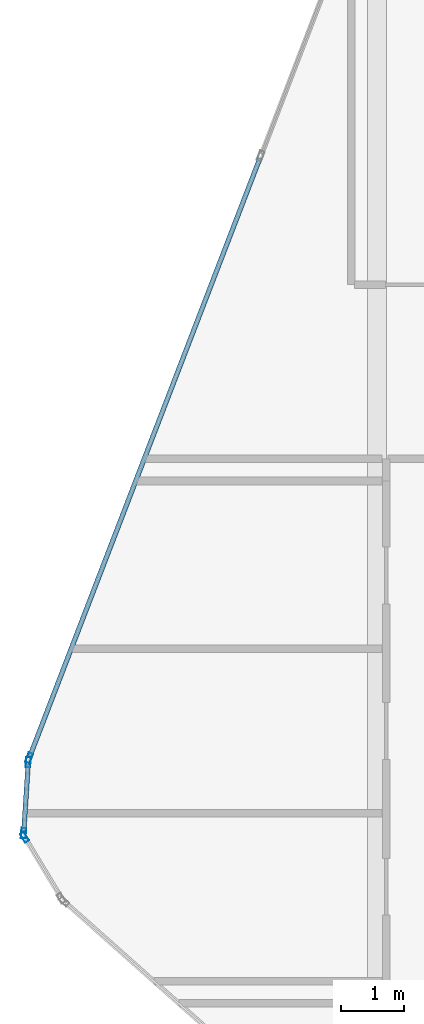
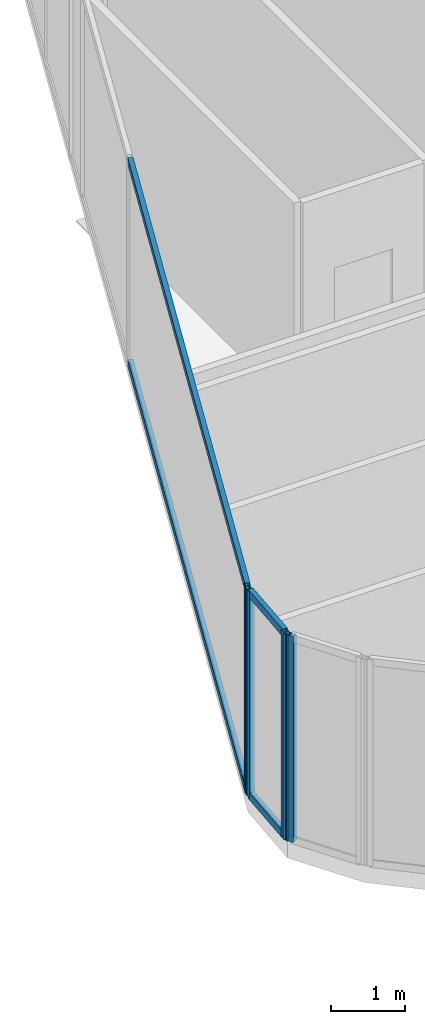
# One storey, part 8 of 27: 8 members, 3 elements without a shape of their own.
"""IFC4 building model written with IfcOpenShell, lengths in metres."""

from ifc_helpers import new_model, si_unit, direction, frame, origin, origin_2d, place, context, subcontext, project, spatial, hollow_rectangle, extrude, material, layer, layer_set, material_profile, profile_set, type_object, element, aggregate, save


model = new_model("IFC4")

# Units and contexts
model_context = context("Model", 3, precision=1e-05, world=origin(), true_north=direction((0.0, 1.0)))
body_context = subcontext(model_context, "Body", "Model", "MODEL_VIEW")
ifc_project = project(units=[si_unit("LENGTHUNIT", "METRE"), si_unit("AREAUNIT", "SQUARE_METRE"), si_unit("VOLUMEUNIT", "CUBIC_METRE"), si_unit("PLANEANGLEUNIT", "RADIAN"), si_unit("MASSUNIT", "GRAM", prefix="KILO")], contexts=[model_context])

# Site, building, storey
site_placement = place(None, origin())
site = spatial("IfcSite", under=ifc_project, at=site_placement, CompositionType="ELEMENT")
building_placement = place(site_placement, origin())
building = spatial("IfcBuilding", under=site, at=building_placement, Name="Keshet Zoharim Tower", CompositionType="ELEMENT")
storey_placement = place(building_placement, frame((0.0, 0.0, 254.699951171875)))
storey = spatial("IfcBuildingStorey", under=building, at=storey_placement, Name="L63", CompositionType="ELEMENT", Elevation=254.699951171875)

# Curtain wall, member
ifc_material = material(Name="Aluminium 6063-T6", Category="aluminium")
ifc_layer = layer(ifc_material, 0.260009765625)
ifc_layer_set = layer_set([ifc_layer], Name="Aluminium 6063-T6")
curtain_wall_type = type_object("IfcCurtainWallType", Name="CW-SYS-06", PredefinedType="NOTDEFINED", material=ifc_layer_set)
curtain_wall_1_placement = place(storey_placement, origin())
curtain_wall_1 = element("IfcCurtainWall", 1, at=curtain_wall_1_placement, inside=storey, type_object=curtain_wall_type, Name="L63 Unitised Curtain Wall 01", PredefinedType="NOTDEFINED")
ifc_material_profile_1 = material_profile(ifc_material, hollow_rectangle(XDim=0.074951171875, YDim=0.159912109375, WallThickness=0.00390625, at=origin_2d()), Name="MUL-75x160")
ifc_profile_set_1 = profile_set([ifc_material_profile_1], Name="Aluminium 6063-T6")
member_type_1 = type_object("IfcMemberType", Name="CWM-M15", PredefinedType="MULLION", material=ifc_profile_set_1)
member_1_placement = place(storey_placement, frame((3.43798828125, 22.77197265625, 0.0), z_axis=(0.0, 0.0, 1.0), x_axis=(-0.856826433805, -0.515604947933, 0.0)))
member_1 = element("IfcMember", 2, at=member_1_placement, type_object=member_type_1, Name="CW-06 mullion 2", PredefinedType="MULLION", context=body_context, shape_type="SweptSolid", body=[
    extrude(hollow_rectangle(XDim=0.074951171875, YDim=0.159912109375, WallThickness=0.00390625, at=origin_2d()), origin(), (0.0, 0.0, 1.0), 3.39013671875),
])
aggregate(curtain_wall_1, [member_1])

# Curtain wall, members
curtain_wall_2_placement = place(storey_placement, origin())
curtain_wall_2 = element("IfcCurtainWall", 3, at=curtain_wall_2_placement, inside=storey, type_object=curtain_wall_type, Name="L63 Unitised Curtain Wall 02", PredefinedType="NOTDEFINED")
member_2_placement = place(storey_placement, frame((3.42236328125, 22.8369140625, 0.0), z_axis=(0.0, 0.0, 1.0), x_axis=(-0.997916617186, 0.064516859374, 0.0)))
member_2 = element("IfcMember", 4, at=member_2_placement, type_object=member_type_1, Name="CW-06 mullion 1", PredefinedType="MULLION", context=body_context, shape_type="SweptSolid", body=[
    extrude(hollow_rectangle(XDim=0.074951171875, YDim=0.159912109375, WallThickness=0.00390625, at=origin_2d()), origin(), (0.0, 0.0, 1.0), 3.39013671875),
])
member_3_placement = place(storey_placement, frame((3.49462890625, 23.9580078125, 0.0), z_axis=(0.0, 0.0, 1.0), x_axis=(-0.997916617186, 0.064516859374, 0.0)))
member_3 = element("IfcMember", 5, at=member_3_placement, type_object=member_type_1, Name="CW-06 mullion 2", PredefinedType="MULLION", context=body_context, shape_type="SweptSolid", body=[
    extrude(hollow_rectangle(XDim=0.074951171875, YDim=0.159912109375, WallThickness=0.00390625, at=origin_2d()), origin(), (0.0, 0.0, 1.0), 3.39013671875),
])

# Curtain wall, member
curtain_wall_3_placement = place(storey_placement, origin())
curtain_wall_3 = element("IfcCurtainWall", 6, at=curtain_wall_3_placement, inside=storey, type_object=curtain_wall_type, Name="L63 Unitised Curtain Wall 03", PredefinedType="NOTDEFINED")
member_4_placement = place(storey_placement, frame((3.509521484375, 24.025634765625, 0.0), z_axis=(0.0, 0.0, 1.0), x_axis=(-0.933341404361, 0.358990003907, 0.0)))
member_4 = element("IfcMember", 7, at=member_4_placement, type_object=member_type_1, Name="CW-06 mullion 1", PredefinedType="MULLION", context=body_context, shape_type="SweptSolid", body=[
    extrude(hollow_rectangle(XDim=0.074951171875, YDim=0.159912109375, WallThickness=0.00390625, at=origin_2d()), origin(), (0.0, 0.0, 1.0), 3.39013671875),
])

# Member
ifc_material_profile_2 = material_profile(ifc_material, hollow_rectangle(XDim=0.074951171875, YDim=0.1201171875, WallThickness=0.00390625, at=origin_2d()), Name="TRN-75x120")
ifc_profile_set_2 = profile_set([ifc_material_profile_2], Name="Aluminium 6063-T6")
member_type_2 = type_object("IfcMemberType", Name="CWT-T12", PredefinedType="USERDEFINED", material=ifc_profile_set_2)
member_5_placement = place(storey_placement, frame((3.424560546875, 22.871826171875, 0.03515625), z_axis=(0.064426947155, 0.997922426083, 0.0), x_axis=(-0.997922426083, 0.064426947155, 0.0)))
member_5 = element("IfcMember", 8, at=member_5_placement, type_object=member_type_2, Name="CW-06 transom 1.1", ObjectType="TRANSOM", PredefinedType="USERDEFINED", context=body_context, shape_type="SweptSolid", body=[
    extrude(hollow_rectangle(XDim=0.074951171875, YDim=0.1201171875, WallThickness=0.00390625, at=origin_2d()), origin(), (0.0, 0.0, 1.0), 1.053466796875),
])

member_6_placement = place(storey_placement, frame((3.424560546875, 22.871826171875, 3.35498046875), z_axis=(0.064426947155, 0.997922426083, 0.0), x_axis=(-0.997922426083, 0.064426947155, 0.0)))
member_6 = element("IfcMember", 9, at=member_6_placement, type_object=member_type_2, Name="CW-06 transom 1.2", ObjectType="TRANSOM", PredefinedType="USERDEFINED", context=body_context, shape_type="SweptSolid", body=[
    extrude(hollow_rectangle(XDim=0.074951171875, YDim=0.1201171875, WallThickness=0.00390625, at=origin_2d()), origin(), (0.0, 0.0, 1.0), 1.053466796875),
])

aggregate(curtain_wall_2, [member_2, member_3, member_5, member_6])

member_7_placement = place(storey_placement, frame((3.522216796875, 24.058349609375, 0.03515625), z_axis=(0.358993631387, 0.93334000912, 0.0), x_axis=(-0.93334000912, 0.358993631387, 0.0)))
member_7 = element("IfcMember", 10, at=member_7_placement, type_object=member_type_2, Name="CW-06 transom 1.1", ObjectType="TRANSOM", PredefinedType="USERDEFINED", context=body_context, shape_type="SweptSolid", body=[
    extrude(hollow_rectangle(XDim=0.074951171875, YDim=0.1201171875, WallThickness=0.00390625, at=origin_2d()), origin(), (0.0, 0.0, 1.0), 10.1181640625),
])

member_8_placement = place(storey_placement, frame((3.522216796875, 24.058349609375, 3.35498046875), z_axis=(0.358993631387, 0.93334000912, 0.0), x_axis=(-0.93334000912, 0.358993631387, 0.0)))
member_8 = element("IfcMember", 11, at=member_8_placement, type_object=member_type_2, Name="CW-06 transom 1.2", ObjectType="TRANSOM", PredefinedType="USERDEFINED", context=body_context, shape_type="SweptSolid", body=[
    extrude(hollow_rectangle(XDim=0.074951171875, YDim=0.1201171875, WallThickness=0.00390625, at=origin_2d()), origin(), (0.0, 0.0, 1.0), 10.1181640625),
])

aggregate(curtain_wall_3, [member_4, member_7, member_8])

save(model, "model.ifc")
